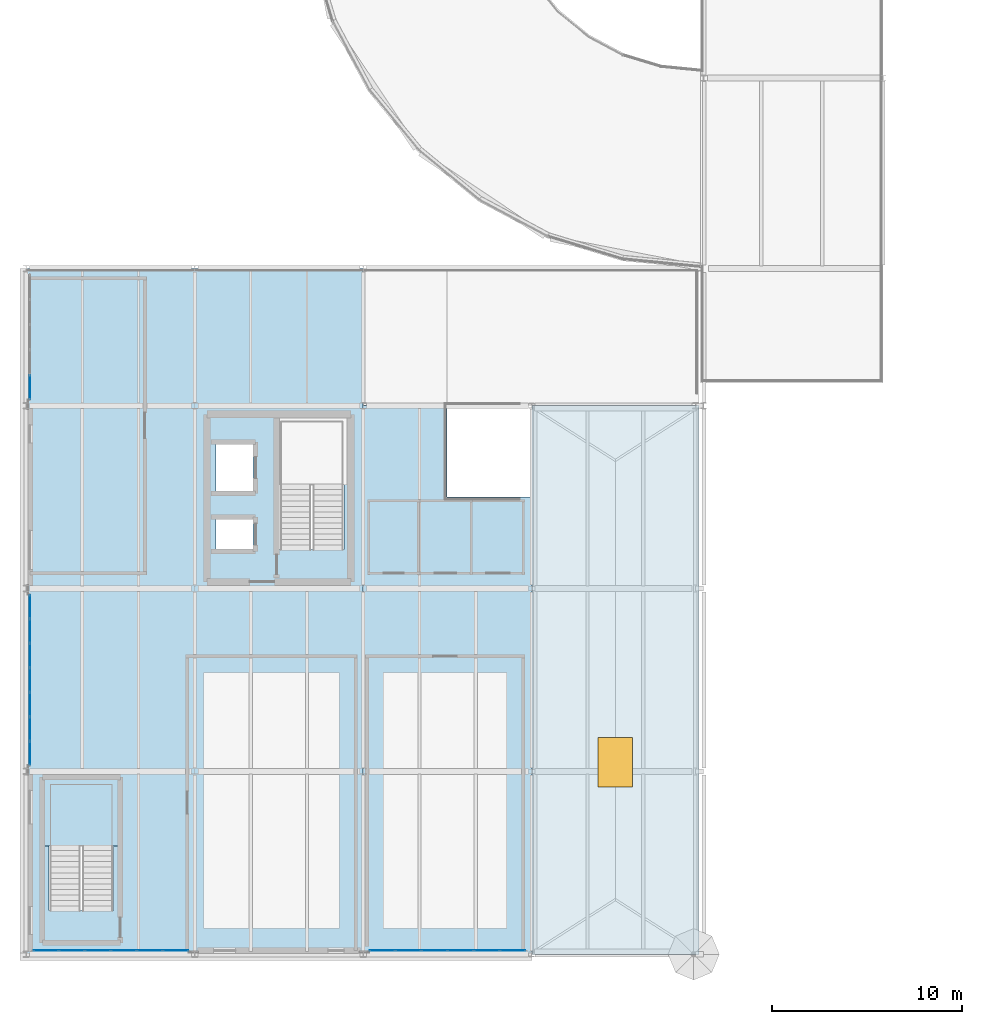
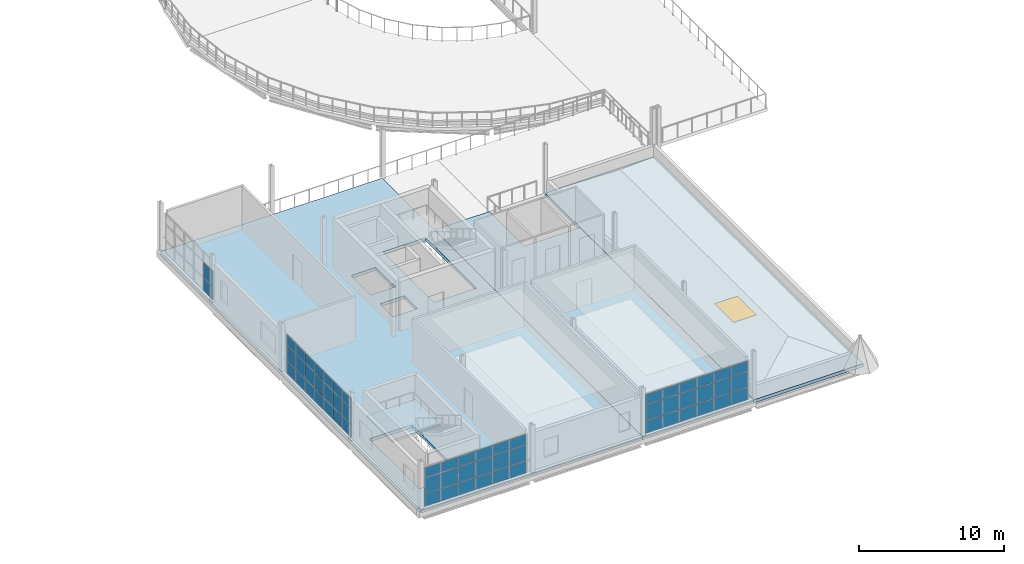
# One storey, part 34 of 58: 59 plates, 4 slabs, 1 window, 1 opening, 5 elements without a shape of their own.
"""IFC4 building model written with IfcOpenShell, lengths in metres."""

from ifc_helpers import new_model, si_unit, direction, frame, origin, origin_2d, place, context, subcontext, project, spatial, polyline, rectangle, outline, extrude, material, layer, layer_set, type_object, element, fill, aggregate, save


model = new_model("IFC4")

# Units and contexts
model_context = context("Model", 3, precision=1e-05, world=origin(), true_north=direction((0.0, 1.0)))
body_context = subcontext(model_context, "Body", "Model", "MODEL_VIEW")
ifc_project = project(units=[si_unit("LENGTHUNIT", "METRE"), si_unit("AREAUNIT", "SQUARE_METRE"), si_unit("VOLUMEUNIT", "CUBIC_METRE"), si_unit("PLANEANGLEUNIT", "RADIAN"), si_unit("MASSUNIT", "GRAM", prefix="KILO")], contexts=[model_context])

# Site, building, storey
site_placement = place(None, origin())
site = spatial("IfcSite", under=ifc_project, at=site_placement, CompositionType="ELEMENT")
building_placement = place(site_placement, origin())
building = spatial("IfcBuilding", under=site, at=building_placement, Name="Yeouljin Market Hall", CompositionType="ELEMENT")
storey_placement = place(building_placement, frame((0.0, 0.0, 10.800048828125)))
storey = spatial("IfcBuildingStorey", under=building, at=storey_placement, Name="L02", CompositionType="ELEMENT", Elevation=10.800048828125)

# Curtain wall, plates
ifc_material_1 = material(Name="Thermally Broken Aluminium", Category="aluminium")
ifc_layer_1 = layer(ifc_material_1, 0.14990234375)
ifc_layer_set_1 = layer_set([ifc_layer_1], Name="Thermally Broken Aluminium")
curtain_wall_type = type_object("IfcCurtainWallType", Name="CW_AcademyRibbon_System", PredefinedType="USERDEFINED", material=ifc_layer_set_1)
curtain_wall_1_placement = place(storey_placement, origin())
curtain_wall_1 = element("IfcCurtainWall", 1, at=curtain_wall_1_placement, inside=storey, type_object=curtain_wall_type, Name="Curtain wall CW-L02-W01", ObjectType="CURTAIN WALL", PredefinedType="USERDEFINED")
ifc_material_2 = material(Name="Low-E Insulated Glass", Category="glass")
ifc_layer_2 = layer(ifc_material_2, 0.028076171875)
ifc_layer_set_2 = layer_set([ifc_layer_2], Name="Low-E Insulated Glass")
plate_type = type_object("IfcPlateType", Name="CWPanel_LowE_28", PredefinedType="CURTAIN_PANEL", material=ifc_layer_set_2)
plate_1_placement = place(storey_placement, frame((25.550537109375, 0.199951171875, 0.0478515625), z_axis=(0.0, 0.0, 1.0), x_axis=(-1.0, 0.0, 0.0)))
plate_1 = element("IfcPlate", 2, at=plate_1_placement, type_object=plate_type, Name="CW-05 panel 1.1", PredefinedType="CURTAIN_PANEL", context=body_context, shape_type="SweptSolid", body=[
    extrude(rectangle(XDim=1.302978515625, YDim=0.028076171875, at=origin_2d()), origin(), (0.0, 0.0, 1.0), 1.028076171875),
])
plate_2_placement = place(storey_placement, frame((25.550537109375, 0.199951171875, 1.1240234375), z_axis=(0.0, 0.0, 1.0), x_axis=(-1.0, 0.0, 0.0)))
plate_2 = element("IfcPlate", 3, at=plate_2_placement, type_object=plate_type, Name="CW-05 panel 1.2", PredefinedType="CURTAIN_PANEL", context=body_context, shape_type="SweptSolid", body=[
    extrude(rectangle(XDim=1.302978515625, YDim=0.028076171875, at=origin_2d()), origin(), (0.0, 0.0, 1.0), 1.302001953125),
])
plate_3_placement = place(storey_placement, frame((25.550537109375, 0.199951171875, 2.47412109375), z_axis=(0.0, 0.0, 1.0), x_axis=(-1.0, 0.0, 0.0)))
plate_3 = element("IfcPlate", 4, at=plate_3_placement, type_object=plate_type, Name="CW-05 panel 1.3", PredefinedType="CURTAIN_PANEL", context=body_context, shape_type="SweptSolid", body=[
    extrude(rectangle(XDim=1.302978515625, YDim=0.028076171875, at=origin_2d()), origin(), (0.0, 0.0, 1.0), 0.827880859375),
])
plate_4_placement = place(storey_placement, frame((24.1875, 0.199951171875, 0.0478515625), z_axis=(0.0, 0.0, 1.0), x_axis=(-1.0, 0.0, 0.0)))
plate_4 = element("IfcPlate", 5, at=plate_4_placement, type_object=plate_type, Name="CW-05 panel 2.1", PredefinedType="CURTAIN_PANEL", context=body_context, shape_type="SweptSolid", body=[
    extrude(rectangle(XDim=1.326904296875, YDim=0.028076171875, at=origin_2d()), origin(), (0.0, 0.0, 1.0), 1.028076171875),
])
plate_5_placement = place(storey_placement, frame((24.1875, 0.199951171875, 1.1240234375), z_axis=(0.0, 0.0, 1.0), x_axis=(-1.0, 0.0, 0.0)))
plate_5 = element("IfcPlate", 6, at=plate_5_placement, type_object=plate_type, Name="CW-05 panel 2.2", PredefinedType="CURTAIN_PANEL", context=body_context, shape_type="SweptSolid", body=[
    extrude(rectangle(XDim=1.326904296875, YDim=0.028076171875, at=origin_2d()), origin(), (0.0, 0.0, 1.0), 1.302001953125),
])
plate_6_placement = place(storey_placement, frame((24.1875, 0.199951171875, 2.47412109375), z_axis=(0.0, 0.0, 1.0), x_axis=(-1.0, 0.0, 0.0)))
plate_6 = element("IfcPlate", 7, at=plate_6_placement, type_object=plate_type, Name="CW-05 panel 2.3", PredefinedType="CURTAIN_PANEL", context=body_context, shape_type="SweptSolid", body=[
    extrude(rectangle(XDim=1.326904296875, YDim=0.028076171875, at=origin_2d()), origin(), (0.0, 0.0, 1.0), 0.827880859375),
])
plate_7_placement = place(storey_placement, frame((22.8125, 0.199951171875, 0.0478515625), z_axis=(0.0, 0.0, 1.0), x_axis=(-1.0, 0.0, 0.0)))
plate_7 = element("IfcPlate", 8, at=plate_7_placement, type_object=plate_type, Name="CW-05 panel 3.1", PredefinedType="CURTAIN_PANEL", context=body_context, shape_type="SweptSolid", body=[
    extrude(rectangle(XDim=1.326904296875, YDim=0.028076171875, at=origin_2d()), origin(), (0.0, 0.0, 1.0), 1.028076171875),
])
plate_8_placement = place(storey_placement, frame((22.8125, 0.199951171875, 1.1240234375), z_axis=(0.0, 0.0, 1.0), x_axis=(-1.0, 0.0, 0.0)))
plate_8 = element("IfcPlate", 9, at=plate_8_placement, type_object=plate_type, Name="CW-05 panel 3.2", PredefinedType="CURTAIN_PANEL", context=body_context, shape_type="SweptSolid", body=[
    extrude(rectangle(XDim=1.326904296875, YDim=0.028076171875, at=origin_2d()), origin(), (0.0, 0.0, 1.0), 1.302001953125),
])
plate_9_placement = place(storey_placement, frame((22.8125, 0.199951171875, 2.47412109375), z_axis=(0.0, 0.0, 1.0), x_axis=(-1.0, 0.0, 0.0)))
plate_9 = element("IfcPlate", 10, at=plate_9_placement, type_object=plate_type, Name="CW-05 panel 3.3", PredefinedType="CURTAIN_PANEL", context=body_context, shape_type="SweptSolid", body=[
    extrude(rectangle(XDim=1.326904296875, YDim=0.028076171875, at=origin_2d()), origin(), (0.0, 0.0, 1.0), 0.827880859375),
])
plate_10_placement = place(storey_placement, frame((21.4375, 0.199951171875, 0.0478515625), z_axis=(0.0, 0.0, 1.0), x_axis=(-1.0, 0.0, 0.0)))
plate_10 = element("IfcPlate", 11, at=plate_10_placement, type_object=plate_type, Name="CW-05 panel 4.1", PredefinedType="CURTAIN_PANEL", context=body_context, shape_type="SweptSolid", body=[
    extrude(rectangle(XDim=1.326904296875, YDim=0.028076171875, at=origin_2d()), origin(), (0.0, 0.0, 1.0), 1.028076171875),
])
plate_11_placement = place(storey_placement, frame((21.4375, 0.199951171875, 1.1240234375), z_axis=(0.0, 0.0, 1.0), x_axis=(-1.0, 0.0, 0.0)))
plate_11 = element("IfcPlate", 12, at=plate_11_placement, type_object=plate_type, Name="CW-05 panel 4.2", PredefinedType="CURTAIN_PANEL", context=body_context, shape_type="SweptSolid", body=[
    extrude(rectangle(XDim=1.326904296875, YDim=0.028076171875, at=origin_2d()), origin(), (0.0, 0.0, 1.0), 1.302001953125),
])
plate_12_placement = place(storey_placement, frame((21.4375, 0.199951171875, 2.47412109375), z_axis=(0.0, 0.0, 1.0), x_axis=(-1.0, 0.0, 0.0)))
plate_12 = element("IfcPlate", 13, at=plate_12_placement, type_object=plate_type, Name="CW-05 panel 4.3", PredefinedType="CURTAIN_PANEL", context=body_context, shape_type="SweptSolid", body=[
    extrude(rectangle(XDim=1.326904296875, YDim=0.028076171875, at=origin_2d()), origin(), (0.0, 0.0, 1.0), 0.827880859375),
])
plate_13_placement = place(storey_placement, frame((20.0625, 0.199951171875, 0.0478515625), z_axis=(0.0, 0.0, 1.0), x_axis=(-1.0, 0.0, 0.0)))
plate_13 = element("IfcPlate", 14, at=plate_13_placement, type_object=plate_type, Name="CW-05 panel 5.1", PredefinedType="CURTAIN_PANEL", context=body_context, shape_type="SweptSolid", body=[
    extrude(rectangle(XDim=1.326904296875, YDim=0.028076171875, at=origin_2d()), origin(), (0.0, 0.0, 1.0), 1.028076171875),
])
plate_14_placement = place(storey_placement, frame((20.0625, 0.199951171875, 1.1240234375), z_axis=(0.0, 0.0, 1.0), x_axis=(-1.0, 0.0, 0.0)))
plate_14 = element("IfcPlate", 15, at=plate_14_placement, type_object=plate_type, Name="CW-05 panel 5.2", PredefinedType="CURTAIN_PANEL", context=body_context, shape_type="SweptSolid", body=[
    extrude(rectangle(XDim=1.326904296875, YDim=0.028076171875, at=origin_2d()), origin(), (0.0, 0.0, 1.0), 1.302001953125),
])
plate_15_placement = place(storey_placement, frame((20.0625, 0.199951171875, 2.47412109375), z_axis=(0.0, 0.0, 1.0), x_axis=(-1.0, 0.0, 0.0)))
plate_15 = element("IfcPlate", 16, at=plate_15_placement, type_object=plate_type, Name="CW-05 panel 5.3", PredefinedType="CURTAIN_PANEL", context=body_context, shape_type="SweptSolid", body=[
    extrude(rectangle(XDim=1.326904296875, YDim=0.028076171875, at=origin_2d()), origin(), (0.0, 0.0, 1.0), 0.827880859375),
])
plate_16_placement = place(storey_placement, frame((18.699462890625, 0.199951171875, 0.0478515625), z_axis=(0.0, 0.0, 1.0), x_axis=(-1.0, 0.0, 0.0)))
plate_16 = element("IfcPlate", 17, at=plate_16_placement, type_object=plate_type, Name="CW-05 panel 6.1", PredefinedType="CURTAIN_PANEL", context=body_context, shape_type="SweptSolid", body=[
    extrude(rectangle(XDim=1.302978515625, YDim=0.028076171875, at=origin_2d()), origin(), (0.0, 0.0, 1.0), 1.028076171875),
])
plate_17_placement = place(storey_placement, frame((18.699462890625, 0.199951171875, 1.1240234375), z_axis=(0.0, 0.0, 1.0), x_axis=(-1.0, 0.0, 0.0)))
plate_17 = element("IfcPlate", 18, at=plate_17_placement, type_object=plate_type, Name="CW-05 panel 6.2", PredefinedType="CURTAIN_PANEL", context=body_context, shape_type="SweptSolid", body=[
    extrude(rectangle(XDim=1.302978515625, YDim=0.028076171875, at=origin_2d()), origin(), (0.0, 0.0, 1.0), 1.302001953125),
])
plate_18_placement = place(storey_placement, frame((18.699462890625, 0.199951171875, 2.47412109375), z_axis=(0.0, 0.0, 1.0), x_axis=(-1.0, 0.0, 0.0)))
plate_18 = element("IfcPlate", 19, at=plate_18_placement, type_object=plate_type, Name="CW-05 panel 6.3", PredefinedType="CURTAIN_PANEL", context=body_context, shape_type="SweptSolid", body=[
    extrude(rectangle(XDim=1.302978515625, YDim=0.028076171875, at=origin_2d()), origin(), (0.0, 0.0, 1.0), 0.827880859375),
])
aggregate(curtain_wall_1, [plate_1, plate_2, plate_3, plate_4, plate_5, plate_6, plate_7, plate_8, plate_9, plate_10, plate_11, plate_12, plate_13, plate_14, plate_15, plate_16, plate_17, plate_18])

curtain_wall_2_placement = place(storey_placement, origin())
curtain_wall_2 = element("IfcCurtainWall", 20, at=curtain_wall_2_placement, inside=storey, type_object=curtain_wall_type, Name="Curtain wall CW-L02-W03", ObjectType="CURTAIN WALL", PredefinedType="USERDEFINED")
plate_19_placement = place(storey_placement, frame((7.854736328125, 0.199951171875, 0.0478515625), z_axis=(0.0, 0.0, 1.0), x_axis=(-1.0, 0.0, 0.0)))
plate_19 = element("IfcPlate", 21, at=plate_19_placement, type_object=plate_type, Name="CW-05 panel 1.1", PredefinedType="CURTAIN_PANEL", context=body_context, shape_type="SweptSolid", body=[
    extrude(rectangle(XDim=1.294677734375, YDim=0.028076171875, at=origin_2d()), origin(), (0.0, 0.0, 1.0), 1.028076171875),
])
plate_20_placement = place(storey_placement, frame((7.854736328125, 0.199951171875, 1.1240234375), z_axis=(0.0, 0.0, 1.0), x_axis=(-1.0, 0.0, 0.0)))
plate_20 = element("IfcPlate", 22, at=plate_20_placement, type_object=plate_type, Name="CW-05 panel 1.2", PredefinedType="CURTAIN_PANEL", context=body_context, shape_type="SweptSolid", body=[
    extrude(rectangle(XDim=1.294677734375, YDim=0.028076171875, at=origin_2d()), origin(), (0.0, 0.0, 1.0), 1.302001953125),
])
plate_21_placement = place(storey_placement, frame((7.854736328125, 0.199951171875, 2.47412109375), z_axis=(0.0, 0.0, 1.0), x_axis=(-1.0, 0.0, 0.0)))
plate_21 = element("IfcPlate", 23, at=plate_21_placement, type_object=plate_type, Name="CW-05 panel 1.3", PredefinedType="CURTAIN_PANEL", context=body_context, shape_type="SweptSolid", body=[
    extrude(rectangle(XDim=1.294677734375, YDim=0.028076171875, at=origin_2d()), origin(), (0.0, 0.0, 1.0), 0.827880859375),
])
plate_22_placement = place(storey_placement, frame((6.5, 0.199951171875, 0.0478515625), z_axis=(0.0, 0.0, 1.0), x_axis=(-1.0, 0.0, 0.0)))
plate_22 = element("IfcPlate", 24, at=plate_22_placement, type_object=plate_type, Name="CW-05 panel 2.1", PredefinedType="CURTAIN_PANEL", context=body_context, shape_type="SweptSolid", body=[
    extrude(rectangle(XDim=1.318603515625, YDim=0.028076171875, at=origin_2d()), origin(), (0.0, 0.0, 1.0), 1.028076171875),
])
plate_23_placement = place(storey_placement, frame((6.5, 0.199951171875, 1.1240234375), z_axis=(0.0, 0.0, 1.0), x_axis=(-1.0, 0.0, 0.0)))
plate_23 = element("IfcPlate", 25, at=plate_23_placement, type_object=plate_type, Name="CW-05 panel 2.2", PredefinedType="CURTAIN_PANEL", context=body_context, shape_type="SweptSolid", body=[
    extrude(rectangle(XDim=1.318603515625, YDim=0.028076171875, at=origin_2d()), origin(), (0.0, 0.0, 1.0), 1.302001953125),
])
plate_24_placement = place(storey_placement, frame((6.5, 0.199951171875, 2.47412109375), z_axis=(0.0, 0.0, 1.0), x_axis=(-1.0, 0.0, 0.0)))
plate_24 = element("IfcPlate", 26, at=plate_24_placement, type_object=plate_type, Name="CW-05 panel 2.3", PredefinedType="CURTAIN_PANEL", context=body_context, shape_type="SweptSolid", body=[
    extrude(rectangle(XDim=1.318603515625, YDim=0.028076171875, at=origin_2d()), origin(), (0.0, 0.0, 1.0), 0.827880859375),
])
plate_25_placement = place(storey_placement, frame((5.13330078125, 0.199951171875, 0.0478515625), z_axis=(0.0, 0.0, 1.0), x_axis=(-1.0, 0.0, 0.0)))
plate_25 = element("IfcPlate", 27, at=plate_25_placement, type_object=plate_type, Name="CW-05 panel 3.1", PredefinedType="CURTAIN_PANEL", context=body_context, shape_type="SweptSolid", body=[
    extrude(rectangle(XDim=1.318603515625, YDim=0.028076171875, at=origin_2d()), origin(), (0.0, 0.0, 1.0), 1.028076171875),
])
plate_26_placement = place(storey_placement, frame((5.13330078125, 0.199951171875, 1.1240234375), z_axis=(0.0, 0.0, 1.0), x_axis=(-1.0, 0.0, 0.0)))
plate_26 = element("IfcPlate", 28, at=plate_26_placement, type_object=plate_type, Name="CW-05 panel 3.2", PredefinedType="CURTAIN_PANEL", context=body_context, shape_type="SweptSolid", body=[
    extrude(rectangle(XDim=1.318603515625, YDim=0.028076171875, at=origin_2d()), origin(), (0.0, 0.0, 1.0), 1.302001953125),
])
plate_27_placement = place(storey_placement, frame((5.13330078125, 0.199951171875, 2.47412109375), z_axis=(0.0, 0.0, 1.0), x_axis=(-1.0, 0.0, 0.0)))
plate_27 = element("IfcPlate", 29, at=plate_27_placement, type_object=plate_type, Name="CW-05 panel 3.3", PredefinedType="CURTAIN_PANEL", context=body_context, shape_type="SweptSolid", body=[
    extrude(rectangle(XDim=1.318603515625, YDim=0.028076171875, at=origin_2d()), origin(), (0.0, 0.0, 1.0), 0.827880859375),
])
plate_28_placement = place(storey_placement, frame((3.7666015625, 0.199951171875, 0.0478515625), z_axis=(0.0, 0.0, 1.0), x_axis=(-1.0, 0.0, 0.0)))
plate_28 = element("IfcPlate", 30, at=plate_28_placement, type_object=plate_type, Name="CW-05 panel 4.1", PredefinedType="CURTAIN_PANEL", context=body_context, shape_type="SweptSolid", body=[
    extrude(rectangle(XDim=1.318603515625, YDim=0.028076171875, at=origin_2d()), origin(), (0.0, 0.0, 1.0), 1.028076171875),
])
plate_29_placement = place(storey_placement, frame((3.7666015625, 0.199951171875, 1.1240234375), z_axis=(0.0, 0.0, 1.0), x_axis=(-1.0, 0.0, 0.0)))
plate_29 = element("IfcPlate", 31, at=plate_29_placement, type_object=plate_type, Name="CW-05 panel 4.2", PredefinedType="CURTAIN_PANEL", context=body_context, shape_type="SweptSolid", body=[
    extrude(rectangle(XDim=1.318603515625, YDim=0.028076171875, at=origin_2d()), origin(), (0.0, 0.0, 1.0), 1.302001953125),
])
plate_30_placement = place(storey_placement, frame((3.7666015625, 0.199951171875, 2.47412109375), z_axis=(0.0, 0.0, 1.0), x_axis=(-1.0, 0.0, 0.0)))
plate_30 = element("IfcPlate", 32, at=plate_30_placement, type_object=plate_type, Name="CW-05 panel 4.3", PredefinedType="CURTAIN_PANEL", context=body_context, shape_type="SweptSolid", body=[
    extrude(rectangle(XDim=1.318603515625, YDim=0.028076171875, at=origin_2d()), origin(), (0.0, 0.0, 1.0), 0.827880859375),
])
plate_31_placement = place(storey_placement, frame((2.39990234375, 0.199951171875, 0.0478515625), z_axis=(0.0, 0.0, 1.0), x_axis=(-1.0, 0.0, 0.0)))
plate_31 = element("IfcPlate", 33, at=plate_31_placement, type_object=plate_type, Name="CW-05 panel 5.1", PredefinedType="CURTAIN_PANEL", context=body_context, shape_type="SweptSolid", body=[
    extrude(rectangle(XDim=1.318603515625, YDim=0.028076171875, at=origin_2d()), origin(), (0.0, 0.0, 1.0), 1.028076171875),
])
plate_32_placement = place(storey_placement, frame((2.39990234375, 0.199951171875, 1.1240234375), z_axis=(0.0, 0.0, 1.0), x_axis=(-1.0, 0.0, 0.0)))
plate_32 = element("IfcPlate", 34, at=plate_32_placement, type_object=plate_type, Name="CW-05 panel 5.2", PredefinedType="CURTAIN_PANEL", context=body_context, shape_type="SweptSolid", body=[
    extrude(rectangle(XDim=1.318603515625, YDim=0.028076171875, at=origin_2d()), origin(), (0.0, 0.0, 1.0), 1.302001953125),
])
plate_33_placement = place(storey_placement, frame((2.39990234375, 0.199951171875, 2.47412109375), z_axis=(0.0, 0.0, 1.0), x_axis=(-1.0, 0.0, 0.0)))
plate_33 = element("IfcPlate", 35, at=plate_33_placement, type_object=plate_type, Name="CW-05 panel 5.3", PredefinedType="CURTAIN_PANEL", context=body_context, shape_type="SweptSolid", body=[
    extrude(rectangle(XDim=1.318603515625, YDim=0.028076171875, at=origin_2d()), origin(), (0.0, 0.0, 1.0), 0.827880859375),
])
plate_34_placement = place(storey_placement, frame((1.04541015625, 0.199951171875, 0.0478515625), z_axis=(0.0, 0.0, 1.0), x_axis=(-1.0, 0.0, 0.0)))
plate_34 = element("IfcPlate", 36, at=plate_34_placement, type_object=plate_type, Name="CW-05 panel 6.1", PredefinedType="CURTAIN_PANEL", context=body_context, shape_type="SweptSolid", body=[
    extrude(rectangle(XDim=1.294677734375, YDim=0.028076171875, at=origin_2d()), origin(), (0.0, 0.0, 1.0), 1.028076171875),
])
plate_35_placement = place(storey_placement, frame((1.04541015625, 0.199951171875, 1.1240234375), z_axis=(0.0, 0.0, 1.0), x_axis=(-1.0, 0.0, 0.0)))
plate_35 = element("IfcPlate", 37, at=plate_35_placement, type_object=plate_type, Name="CW-05 panel 6.2", PredefinedType="CURTAIN_PANEL", context=body_context, shape_type="SweptSolid", body=[
    extrude(rectangle(XDim=1.294677734375, YDim=0.028076171875, at=origin_2d()), origin(), (0.0, 0.0, 1.0), 1.302001953125),
])
plate_36_placement = place(storey_placement, frame((1.04541015625, 0.199951171875, 2.47412109375), z_axis=(0.0, 0.0, 1.0), x_axis=(-1.0, 0.0, 0.0)))
plate_36 = element("IfcPlate", 38, at=plate_36_placement, type_object=plate_type, Name="CW-05 panel 6.3", PredefinedType="CURTAIN_PANEL", context=body_context, shape_type="SweptSolid", body=[
    extrude(rectangle(XDim=1.294677734375, YDim=0.028076171875, at=origin_2d()), origin(), (0.0, 0.0, 1.0), 0.827880859375),
])
aggregate(curtain_wall_2, [plate_19, plate_20, plate_21, plate_22, plate_23, plate_24, plate_25, plate_26, plate_27, plate_28, plate_29, plate_30, plate_31, plate_32, plate_33, plate_34, plate_35, plate_36])

curtain_wall_3_placement = place(storey_placement, origin())
curtain_wall_3 = element("IfcCurtainWall", 39, at=curtain_wall_3_placement, inside=storey, type_object=curtain_wall_type, Name="Curtain wall CW-L02-W05", ObjectType="CURTAIN WALL", PredefinedType="USERDEFINED")
plate_37_placement = place(storey_placement, frame((0.199951171875, 10.554931640625, 0.0478515625), z_axis=(0.0, 0.0, 1.0), x_axis=(0.0, 1.0, 0.0)))
plate_37 = element("IfcPlate", 40, at=plate_37_placement, type_object=plate_type, Name="CW-05 panel 1.1", PredefinedType="CURTAIN_PANEL", context=body_context, shape_type="SweptSolid", body=[
    extrude(rectangle(XDim=1.213623046875, YDim=0.028076171875, at=origin_2d()), origin(), (0.0, 0.0, 1.0), 1.028076171875),
])
plate_38_placement = place(storey_placement, frame((0.199951171875, 10.554931640625, 1.1240234375), z_axis=(0.0, 0.0, 1.0), x_axis=(0.0, 1.0, 0.0)))
plate_38 = element("IfcPlate", 41, at=plate_38_placement, type_object=plate_type, Name="CW-05 panel 1.2", PredefinedType="CURTAIN_PANEL", context=body_context, shape_type="SweptSolid", body=[
    extrude(rectangle(XDim=1.213623046875, YDim=0.028076171875, at=origin_2d()), origin(), (0.0, 0.0, 1.0), 1.302001953125),
])
plate_39_placement = place(storey_placement, frame((0.199951171875, 10.554931640625, 2.47412109375), z_axis=(0.0, 0.0, 1.0), x_axis=(0.0, 1.0, 0.0)))
plate_39 = element("IfcPlate", 42, at=plate_39_placement, type_object=plate_type, Name="CW-05 panel 1.3", PredefinedType="CURTAIN_PANEL", context=body_context, shape_type="SweptSolid", body=[
    extrude(rectangle(XDim=1.213623046875, YDim=0.028076171875, at=origin_2d()), origin(), (0.0, 0.0, 1.0), 0.827880859375),
])
plate_40_placement = place(storey_placement, frame((0.199951171875, 11.82861328125, 0.0478515625), z_axis=(0.0, 0.0, 1.0), x_axis=(0.0, 1.0, 0.0)))
plate_40 = element("IfcPlate", 43, at=plate_40_placement, type_object=plate_type, Name="CW-05 panel 2.1", PredefinedType="CURTAIN_PANEL", context=body_context, shape_type="SweptSolid", body=[
    extrude(rectangle(XDim=1.23779296875, YDim=0.028076171875, at=origin_2d()), origin(), (0.0, 0.0, 1.0), 1.028076171875),
])
plate_41_placement = place(storey_placement, frame((0.199951171875, 11.82861328125, 1.1240234375), z_axis=(0.0, 0.0, 1.0), x_axis=(0.0, 1.0, 0.0)))
plate_41 = element("IfcPlate", 44, at=plate_41_placement, type_object=plate_type, Name="CW-05 panel 2.2", PredefinedType="CURTAIN_PANEL", context=body_context, shape_type="SweptSolid", body=[
    extrude(rectangle(XDim=1.23779296875, YDim=0.028076171875, at=origin_2d()), origin(), (0.0, 0.0, 1.0), 1.302001953125),
])
plate_42_placement = place(storey_placement, frame((0.199951171875, 11.82861328125, 2.47412109375), z_axis=(0.0, 0.0, 1.0), x_axis=(0.0, 1.0, 0.0)))
plate_42 = element("IfcPlate", 45, at=plate_42_placement, type_object=plate_type, Name="CW-05 panel 2.3", PredefinedType="CURTAIN_PANEL", context=body_context, shape_type="SweptSolid", body=[
    extrude(rectangle(XDim=1.23779296875, YDim=0.028076171875, at=origin_2d()), origin(), (0.0, 0.0, 1.0), 0.827880859375),
])
plate_43_placement = place(storey_placement, frame((0.199951171875, 13.1142578125, 0.0478515625), z_axis=(0.0, 0.0, 1.0), x_axis=(0.0, 1.0, 0.0)))
plate_43 = element("IfcPlate", 46, at=plate_43_placement, type_object=plate_type, Name="CW-05 panel 3.1", PredefinedType="CURTAIN_PANEL", context=body_context, shape_type="SweptSolid", body=[
    extrude(rectangle(XDim=1.23779296875, YDim=0.028076171875, at=origin_2d()), origin(), (0.0, 0.0, 1.0), 1.028076171875),
])
plate_44_placement = place(storey_placement, frame((0.199951171875, 13.1142578125, 1.1240234375), z_axis=(0.0, 0.0, 1.0), x_axis=(0.0, 1.0, 0.0)))
plate_44 = element("IfcPlate", 47, at=plate_44_placement, type_object=plate_type, Name="CW-05 panel 3.2", PredefinedType="CURTAIN_PANEL", context=body_context, shape_type="SweptSolid", body=[
    extrude(rectangle(XDim=1.23779296875, YDim=0.028076171875, at=origin_2d()), origin(), (0.0, 0.0, 1.0), 1.302001953125),
])
plate_45_placement = place(storey_placement, frame((0.199951171875, 13.1142578125, 2.47412109375), z_axis=(0.0, 0.0, 1.0), x_axis=(0.0, 1.0, 0.0)))
plate_45 = element("IfcPlate", 48, at=plate_45_placement, type_object=plate_type, Name="CW-05 panel 3.3", PredefinedType="CURTAIN_PANEL", context=body_context, shape_type="SweptSolid", body=[
    extrude(rectangle(XDim=1.23779296875, YDim=0.028076171875, at=origin_2d()), origin(), (0.0, 0.0, 1.0), 0.827880859375),
])
plate_46_placement = place(storey_placement, frame((0.199951171875, 14.39990234375, 0.0478515625), z_axis=(0.0, 0.0, 1.0), x_axis=(0.0, 1.0, 0.0)))
plate_46 = element("IfcPlate", 49, at=plate_46_placement, type_object=plate_type, Name="CW-05 panel 4.1", PredefinedType="CURTAIN_PANEL", context=body_context, shape_type="SweptSolid", body=[
    extrude(rectangle(XDim=1.23779296875, YDim=0.028076171875, at=origin_2d()), origin(), (0.0, 0.0, 1.0), 1.028076171875),
])
plate_47_placement = place(storey_placement, frame((0.199951171875, 14.39990234375, 1.1240234375), z_axis=(0.0, 0.0, 1.0), x_axis=(0.0, 1.0, 0.0)))
plate_47 = element("IfcPlate", 50, at=plate_47_placement, type_object=plate_type, Name="CW-05 panel 4.2", PredefinedType="CURTAIN_PANEL", context=body_context, shape_type="SweptSolid", body=[
    extrude(rectangle(XDim=1.23779296875, YDim=0.028076171875, at=origin_2d()), origin(), (0.0, 0.0, 1.0), 1.302001953125),
])
plate_48_placement = place(storey_placement, frame((0.199951171875, 14.39990234375, 2.47412109375), z_axis=(0.0, 0.0, 1.0), x_axis=(0.0, 1.0, 0.0)))
plate_48 = element("IfcPlate", 51, at=plate_48_placement, type_object=plate_type, Name="CW-05 panel 4.3", PredefinedType="CURTAIN_PANEL", context=body_context, shape_type="SweptSolid", body=[
    extrude(rectangle(XDim=1.23779296875, YDim=0.028076171875, at=origin_2d()), origin(), (0.0, 0.0, 1.0), 0.827880859375),
])
plate_49_placement = place(storey_placement, frame((0.199951171875, 15.685791015625, 0.0478515625), z_axis=(0.0, 0.0, 1.0), x_axis=(0.0, 1.0, 0.0)))
plate_49 = element("IfcPlate", 52, at=plate_49_placement, type_object=plate_type, Name="CW-05 panel 5.1", PredefinedType="CURTAIN_PANEL", context=body_context, shape_type="SweptSolid", body=[
    extrude(rectangle(XDim=1.23779296875, YDim=0.028076171875, at=origin_2d()), origin(), (0.0, 0.0, 1.0), 1.028076171875),
])
plate_50_placement = place(storey_placement, frame((0.199951171875, 15.685791015625, 1.1240234375), z_axis=(0.0, 0.0, 1.0), x_axis=(0.0, 1.0, 0.0)))
plate_50 = element("IfcPlate", 53, at=plate_50_placement, type_object=plate_type, Name="CW-05 panel 5.2", PredefinedType="CURTAIN_PANEL", context=body_context, shape_type="SweptSolid", body=[
    extrude(rectangle(XDim=1.23779296875, YDim=0.028076171875, at=origin_2d()), origin(), (0.0, 0.0, 1.0), 1.302001953125),
])
plate_51_placement = place(storey_placement, frame((0.199951171875, 15.685791015625, 2.47412109375), z_axis=(0.0, 0.0, 1.0), x_axis=(0.0, 1.0, 0.0)))
plate_51 = element("IfcPlate", 54, at=plate_51_placement, type_object=plate_type, Name="CW-05 panel 5.3", PredefinedType="CURTAIN_PANEL", context=body_context, shape_type="SweptSolid", body=[
    extrude(rectangle(XDim=1.23779296875, YDim=0.028076171875, at=origin_2d()), origin(), (0.0, 0.0, 1.0), 0.827880859375),
])
plate_52_placement = place(storey_placement, frame((0.199951171875, 16.971435546875, 0.0478515625), z_axis=(0.0, 0.0, 1.0), x_axis=(0.0, 1.0, 0.0)))
plate_52 = element("IfcPlate", 55, at=plate_52_placement, type_object=plate_type, Name="CW-05 panel 6.1", PredefinedType="CURTAIN_PANEL", context=body_context, shape_type="SweptSolid", body=[
    extrude(rectangle(XDim=1.23779296875, YDim=0.028076171875, at=origin_2d()), origin(), (0.0, 0.0, 1.0), 1.028076171875),
])
plate_53_placement = place(storey_placement, frame((0.199951171875, 16.971435546875, 1.1240234375), z_axis=(0.0, 0.0, 1.0), x_axis=(0.0, 1.0, 0.0)))
plate_53 = element("IfcPlate", 56, at=plate_53_placement, type_object=plate_type, Name="CW-05 panel 6.2", PredefinedType="CURTAIN_PANEL", context=body_context, shape_type="SweptSolid", body=[
    extrude(rectangle(XDim=1.23779296875, YDim=0.028076171875, at=origin_2d()), origin(), (0.0, 0.0, 1.0), 1.302001953125),
])
plate_54_placement = place(storey_placement, frame((0.199951171875, 16.971435546875, 2.47412109375), z_axis=(0.0, 0.0, 1.0), x_axis=(0.0, 1.0, 0.0)))
plate_54 = element("IfcPlate", 57, at=plate_54_placement, type_object=plate_type, Name="CW-05 panel 6.3", PredefinedType="CURTAIN_PANEL", context=body_context, shape_type="SweptSolid", body=[
    extrude(rectangle(XDim=1.23779296875, YDim=0.028076171875, at=origin_2d()), origin(), (0.0, 0.0, 1.0), 0.827880859375),
])
plate_55_placement = place(storey_placement, frame((0.199951171875, 18.2451171875, 0.0478515625), z_axis=(0.0, 0.0, 1.0), x_axis=(0.0, 1.0, 0.0)))
plate_55 = element("IfcPlate", 58, at=plate_55_placement, type_object=plate_type, Name="CW-05 panel 7.1", PredefinedType="CURTAIN_PANEL", context=body_context, shape_type="SweptSolid", body=[
    extrude(rectangle(XDim=1.213623046875, YDim=0.028076171875, at=origin_2d()), origin(), (0.0, 0.0, 1.0), 1.028076171875),
])
plate_56_placement = place(storey_placement, frame((0.199951171875, 18.2451171875, 1.1240234375), z_axis=(0.0, 0.0, 1.0), x_axis=(0.0, 1.0, 0.0)))
plate_56 = element("IfcPlate", 59, at=plate_56_placement, type_object=plate_type, Name="CW-05 panel 7.2", PredefinedType="CURTAIN_PANEL", context=body_context, shape_type="SweptSolid", body=[
    extrude(rectangle(XDim=1.213623046875, YDim=0.028076171875, at=origin_2d()), origin(), (0.0, 0.0, 1.0), 1.302001953125),
])
plate_57_placement = place(storey_placement, frame((0.199951171875, 18.2451171875, 2.47412109375), z_axis=(0.0, 0.0, 1.0), x_axis=(0.0, 1.0, 0.0)))
plate_57 = element("IfcPlate", 60, at=plate_57_placement, type_object=plate_type, Name="CW-05 panel 7.3", PredefinedType="CURTAIN_PANEL", context=body_context, shape_type="SweptSolid", body=[
    extrude(rectangle(XDim=1.213623046875, YDim=0.028076171875, at=origin_2d()), origin(), (0.0, 0.0, 1.0), 0.827880859375),
])
aggregate(curtain_wall_3, [plate_37, plate_38, plate_39, plate_40, plate_41, plate_42, plate_43, plate_44, plate_45, plate_46, plate_47, plate_48, plate_49, plate_50, plate_51, plate_52, plate_53, plate_54, plate_55, plate_56, plate_57])

curtain_wall_4_placement = place(storey_placement, origin())
curtain_wall_4 = element("IfcCurtainWall", 61, at=curtain_wall_4_placement, inside=storey, type_object=curtain_wall_type, Name="Curtain wall CW-L02-W07", ObjectType="CURTAIN WALL", PredefinedType="USERDEFINED")
plate_58_placement = place(storey_placement, frame((0.199951171875, 29.77197265625, 0.0478515625), z_axis=(0.0, 0.0, 1.0), x_axis=(0.0, 1.0, 0.0)))
plate_58 = element("IfcPlate", 62, at=plate_58_placement, type_object=plate_type, Name="CW-05 panel 1.1", PredefinedType="CURTAIN_PANEL", context=body_context, shape_type="SweptSolid", body=[
    extrude(rectangle(XDim=1.248046875, YDim=0.028076171875, at=origin_2d()), origin(), (0.0, 0.0, 1.0), 1.028076171875),
])
plate_59_placement = place(storey_placement, frame((0.199951171875, 29.77197265625, 1.1240234375), z_axis=(0.0, 0.0, 1.0), x_axis=(0.0, 1.0, 0.0)))
plate_59 = element("IfcPlate", 63, at=plate_59_placement, type_object=plate_type, Name="CW-05 panel 1.2", PredefinedType="CURTAIN_PANEL", context=body_context, shape_type="SweptSolid", body=[
    extrude(rectangle(XDim=1.248046875, YDim=0.028076171875, at=origin_2d()), origin(), (0.0, 0.0, 1.0), 1.302001953125),
])
aggregate(curtain_wall_4, [plate_58, plate_59])

# Slab, opening, window
ifc_material_3 = material(Name="Concrete C30/37", Category="concrete")
ifc_layer_3 = layer(ifc_material_3, 0.27490234375)
ifc_layer_set_3 = layer_set([ifc_layer_3], Name="Concrete C30/37")
slab_type_1 = type_object("IfcSlabType", Name="SLB_ROOF_210", PredefinedType="ROOF", material=ifc_layer_set_3)
slab_1_placement = place(storey_placement, frame((0.0, 0.0, -0.26513671875)))
slab_1 = element("IfcSlab", 64, at=slab_1_placement, inside=storey, type_object=slab_type_1, Name="Wing structural roof slab RSLB-V2-L02S", PredefinedType="ROOF", context=body_context, shape_type="SweptSolid", body=[
    extrude(outline(polyline([(26.550048828125, 0.0), (35.320068359375, 0.0), (35.320068359375, 28.800048828125), (26.550048828125, 28.800048828125), (26.550048828125, 0.0)])), origin(), (0.0, 0.0, 1.0), 0.275146484375),
])
opening_placement = place(slab_1_placement, frame((30.93505859375, 10.080078125, 0.0)))
opening = element("IfcOpeningElement", 65, at=opening_placement, cuts=slab_1, Name="Opening SK-02", PredefinedType="OPENING", context=body_context, shape_type="SweptSolid", body=[
    extrude(rectangle(XDim=1.800048828125, YDim=2.60009765625, at=origin_2d()), origin(), (0.0, 0.0, 1.0), 0.275146484375),
])
ifc_material_4 = material(Name="Low-E Insulated Glass", Category="glass")
window_type = type_object("IfcWindowType", Name="Skylight_1800x2600", PartitioningType="SINGLE_PANEL", PredefinedType="SKYLIGHT", material=ifc_material_4)
window_placement = place(opening_placement, frame((0.0, 0.0, 0.22509765625)))
window = element("IfcWindow", 66, at=window_placement, inside=storey, type_object=window_type, Name="Roof skylight 14", OverallHeight=2.60009765625, OverallWidth=1.800048828125, PartitioningType="SINGLE_PANEL", PredefinedType="SKYLIGHT", context=body_context, shape_type="SweptSolid", body=[
    extrude(rectangle(XDim=1.800048828125, YDim=2.60009765625, at=origin_2d()), origin(), (0.0, 0.0, 1.0), 0.050048828125),
])
fill(opening, window)

# Slabs
ifc_material_5 = material(Name="Concrete C30/37", Category="concrete")
ifc_layer_4 = layer(ifc_material_5, 0.264892578125)
ifc_layer_set_4 = layer_set([ifc_layer_4], Name="Concrete C30/37")
slab_type_2 = type_object("IfcSlabType", Name="SLB_WING_220", PredefinedType="FLOOR", material=ifc_layer_set_4)
slab_2_placement = place(storey_placement, frame((0.0, 0.0, -0.26513671875)))
element("IfcSlab", 67, at=slab_2_placement, inside=storey, type_object=slab_type_2, Name="Structural slab SLB-L02-WS1", PredefinedType="FLOOR", context=body_context, shape_type="SweptSolid", body=[
    extrude(outline(polyline([(0.0, 0.0), (17.699951171875, 0.0), (17.699951171875, 36.0), (0.0, 36.0), (0.0, 0.0)]), holes=[polyline([(13.300048828125, 21.25), (16.699951171875, 21.25), (16.699951171875, 28.27001953125), (13.300048828125, 28.27001953125), (13.300048828125, 21.25)]), polyline([(1.199951171875, 2.300048828125), (4.60009765625, 2.300048828125), (4.60009765625, 9.219970703125), (1.199951171875, 9.219970703125), (1.199951171875, 2.300048828125)]), polyline([(9.97509765625, 21.14990234375), (11.925048828125, 21.14990234375), (11.925048828125, 22.949951171875), (9.97509765625, 22.949951171875), (9.97509765625, 21.14990234375)]), polyline([(9.97509765625, 24.199951171875), (11.925048828125, 24.199951171875), (11.925048828125, 26.89990234375), (9.97509765625, 26.89990234375), (9.97509765625, 24.199951171875)])]), origin(), (0.0, 0.0, 1.0), 0.26513671875),
])
slab_3_placement = place(storey_placement, frame((0.0, 0.0, -0.26513671875)))
element("IfcSlab", 68, at=slab_3_placement, inside=storey, type_object=slab_type_2, Name="Structural slab SLB-L02-WS2", PredefinedType="FLOOR", context=body_context, shape_type="SweptSolid", body=[
    extrude(outline(polyline([(17.699951171875, 0.0), (26.550048828125, 0.0), (26.550048828125, 24.0), (22.10009765625, 24.0), (22.10009765625, 28.800048828125), (17.699951171875, 28.800048828125), (17.699951171875, 0.0)])), origin(), (0.0, 0.0, 1.0), 0.26513671875),
])

# Stair, slab
ifc_material_6 = material(Name="Concrete C30/37", Category="concrete")
stair_type = type_object("IfcStairType", Name="Stair_Escape_Wing", PredefinedType="HALF_TURN_STAIR", material=ifc_material_6)
stair_placement = place(storey_placement, origin())
stair = element("IfcStair", 69, at=stair_placement, inside=storey, type_object=stair_type, Name="Enclosed exit stair ST-S7-L02", PredefinedType="HALF_TURN_STAIR")
ifc_material_7 = material(Name="Concrete C30/37", Category="concrete")
ifc_layer_5 = layer(ifc_material_7, 0.199951171875)
ifc_layer_set_5 = layer_set([ifc_layer_5], Name="Concrete C30/37")
slab_type_3 = type_object("IfcSlabType", Name="StairLanding_200", PredefinedType="LANDING", material=ifc_layer_set_5)
slab_4_placement = place(storey_placement, frame((0.0, 0.0, 1.89990234375)))
slab_4 = element("IfcSlab", 70, at=slab_4_placement, type_object=slab_type_3, Name="ST-S7-L02 landing 1", PredefinedType="LANDING", context=body_context, shape_type="SweptSolid", body=[
    extrude(outline(polyline([(0.969970703125, 5.68994140625), (4.830078125, 5.68994140625), (4.830078125, 9.179931640625), (0.969970703125, 9.179931640625), (0.969970703125, 5.68994140625)])), origin(), (0.0, 0.0, 1.0), 0.199951171875),
])
aggregate(stair, [slab_4])

save(model, "model.ifc")
